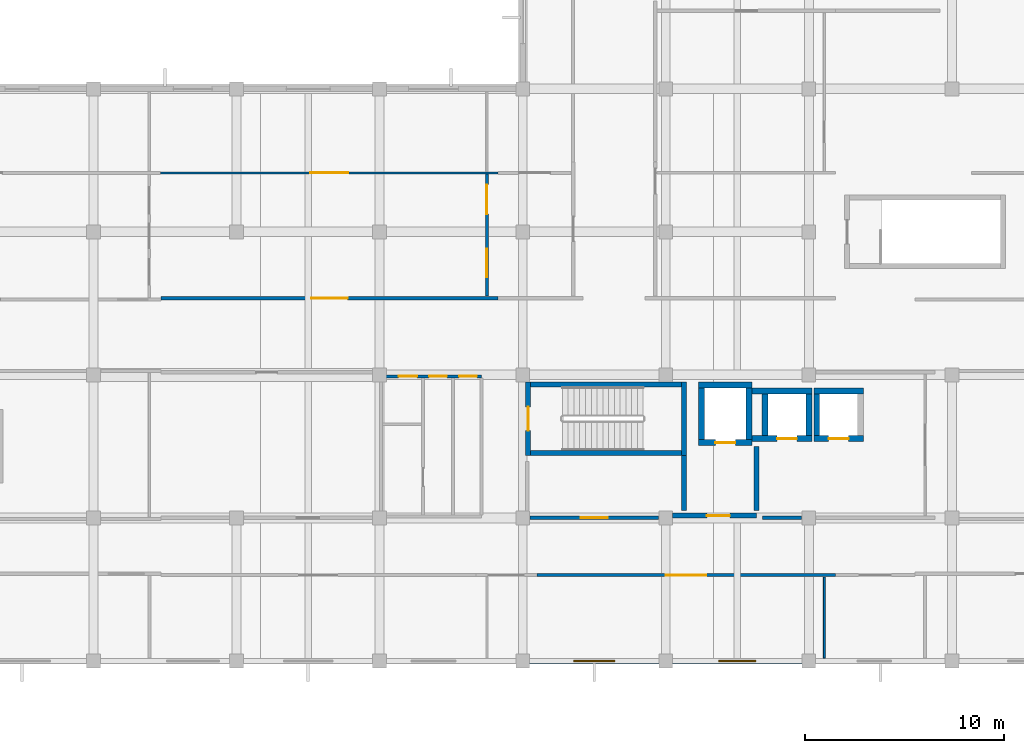
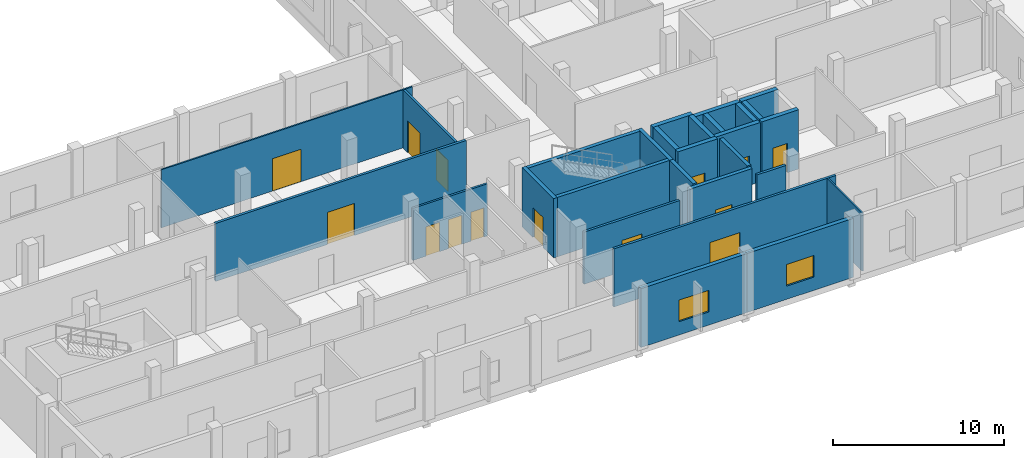
# One storey, part 12 of 24: 28 walls, 14 doors, 2 windows, 16 openings.
"""IFC4 building model written with IfcOpenShell, lengths in metres."""

from ifc_helpers import new_model, si_unit, direction, frame, frame_2d, origin, place, context, subcontext, project, spatial, rectangle, extrude, material, layer, layer_set, type_object, element, fill, save


model = new_model("IFC4")

# Units and contexts
model_context = context("Model", 3, precision=1e-05, world=origin(), true_north=direction((0.0, 1.0)))
body_context = subcontext(model_context, "Body", "Model", "MODEL_VIEW")
ifc_project = project(units=[si_unit("LENGTHUNIT", "METRE"), si_unit("AREAUNIT", "SQUARE_METRE"), si_unit("VOLUMEUNIT", "CUBIC_METRE"), si_unit("PLANEANGLEUNIT", "RADIAN"), si_unit("MASSUNIT", "GRAM", prefix="KILO")], contexts=[model_context])

# Site, building, storey
site_placement = place(None, origin())
site = spatial("IfcSite", under=ifc_project, at=site_placement, CompositionType="ELEMENT")
building_placement = place(site_placement, origin())
building = spatial("IfcBuilding", under=site, at=building_placement, Name="Seraya Terrace Polytechnic", CompositionType="ELEMENT")
storey_placement = place(building_placement, frame((0.0, 0.0, 18.89990234375)))
storey = spatial("IfcBuildingStorey", under=building, at=storey_placement, Name="L04", CompositionType="ELEMENT", Elevation=18.89990234375)

# Wall, opening, window
ifc_material_1 = material(Name="Precast concrete C40/50", Category="concrete")
ifc_layer_1 = layer(ifc_material_1, 0.280029296875, Name="EW-02")
ifc_layer_set_1 = layer_set([ifc_layer_1], Name="Precast concrete C40/50")
wall_type_1 = type_object("IfcWallType", Name="EW-02", PredefinedType="SOLIDWALL", material=ifc_layer_set_1)
wall_1_placement = place(storey_placement, frame((93.60009765625, 0.0, 0.0), z_axis=(0.0, 0.0, 1.0), x_axis=(-1.0, 0.0, 0.0)))
wall_1 = element("IfcWall", 1, at=wall_1_placement, inside=storey, type_object=wall_type_1, Name="Exterior structural wall EW-02 L04", PredefinedType="SOLIDWALL", context=body_context, shape_type="SweptSolid", body=[
    extrude(rectangle(XDim=7.2001953125, YDim=0.280029296875, at=frame_2d((3.60009765625, 0.0))), origin(), (0.0, 0.0, 1.0), 4.22021484375),
])
opening_1_placement = place(wall_1_placement, frame((2.675048828125, 0.0, 0.949951171875)))
opening_1 = element("IfcOpeningElement", 2, at=opening_1_placement, cuts=wall_1, Name="Opening WN-18", PredefinedType="OPENING", context=body_context, shape_type="SweptSolid", body=[
    extrude(rectangle(XDim=1.85009765625, YDim=1.550048828125, at=frame_2d((0.925048828125, 0.77490234375))), frame((0.0, 0.15185546875, 0.0), z_axis=(0.0, -1.0, 0.0), x_axis=(1.0, 0.0, 0.0)), (0.0, 0.0, 1.0), 0.303955078125),
])
ifc_material_2 = material(Name="Laminated solar-control Low-E double glazing", Category="glass")
window_type_1 = type_object("IfcWindowType", Name="WN-18", PartitioningType="SINGLE_PANEL", PredefinedType="WINDOW", material=ifc_material_2)
window_1_placement = place(opening_1_placement, origin())
window_1 = element("IfcWindow", 3, at=window_1_placement, inside=storey, type_object=window_type_1, Name="Exterior window WN-18 L04", OverallHeight=1.550048828125, OverallWidth=1.85009765625, PartitioningType="SINGLE_PANEL", PredefinedType="WINDOW", context=body_context, shape_type="SweptSolid", body=[
    extrude(rectangle(XDim=1.85009765625, YDim=1.550048828125, at=frame_2d((0.925048828125, 0.77490234375))), frame((0.0, 0.030029296875, 0.0), z_axis=(0.0, -1.0, 0.0), x_axis=(1.0, 0.0, 0.0)), (0.0, 0.0, 1.0), 0.06005859375),
])
fill(opening_1, window_1)

wall_2_placement = place(storey_placement, frame((86.39990234375, 0.0, 0.0), z_axis=(0.0, 0.0, 1.0), x_axis=(-1.0, 0.0, 0.0)))
wall_2 = element("IfcWall", 4, at=wall_2_placement, inside=storey, type_object=wall_type_1, Name="Exterior structural wall EW-02 L04", PredefinedType="SOLIDWALL", context=body_context, shape_type="SweptSolid", body=[
    extrude(rectangle(XDim=7.199951171875, YDim=0.280029296875, at=frame_2d((3.60009765625, 0.0))), origin(), (0.0, 0.0, 1.0), 4.22021484375),
])
opening_2_placement = place(wall_2_placement, frame((2.574951171875, 0.0, 0.949951171875)))
opening_2 = element("IfcOpeningElement", 5, at=opening_2_placement, cuts=wall_2, Name="Opening WN-19", PredefinedType="OPENING", context=body_context, shape_type="SweptSolid", body=[
    extrude(rectangle(XDim=2.050048828125, YDim=1.550048828125, at=frame_2d((1.02490234375, 0.77490234375))), frame((0.0, 0.15185546875, 0.0), z_axis=(0.0, -1.0, 0.0), x_axis=(1.0, 0.0, 0.0)), (0.0, 0.0, 1.0), 0.303955078125),
])
window_type_2 = type_object("IfcWindowType", Name="WN-19", PartitioningType="SINGLE_PANEL", PredefinedType="WINDOW", material=ifc_material_2)
window_2_placement = place(opening_2_placement, origin())
window_2 = element("IfcWindow", 6, at=window_2_placement, inside=storey, type_object=window_type_2, Name="Exterior window WN-19 L04", OverallHeight=1.550048828125, OverallWidth=2.050048828125, PartitioningType="SINGLE_PANEL", PredefinedType="WINDOW", context=body_context, shape_type="SweptSolid", body=[
    extrude(rectangle(XDim=2.050048828125, YDim=1.550048828125, at=frame_2d((1.02490234375, 0.77490234375))), frame((0.0, 0.030029296875, 0.0), z_axis=(0.0, -1.0, 0.0), x_axis=(1.0, 0.0, 0.0)), (0.0, 0.0, 1.0), 0.06005859375),
])
fill(opening_2, window_2)

# Wall, opening, door
ifc_material_3 = material(Name="Autoclaved aerated concrete blockwork", Category="masonry")
ifc_layer_2 = layer(ifc_material_3, 0.169921875, Name="PT-02")
ifc_layer_set_2 = layer_set([ifc_layer_2], Name="Autoclaved aerated concrete blockwork")
wall_type_2 = type_object("IfcWallType", Name="PT-02", PredefinedType="PARTITIONING", material=ifc_layer_set_2)
wall_3_placement = place(storey_placement, frame((60.9814453125, 18.27001953125, 0.0), z_axis=(0.0, 0.0, 1.0), x_axis=(1.0, 0.0, 0.0)))
wall_3 = element("IfcWall", 7, at=wall_3_placement, inside=storey, type_object=wall_type_2, Name="Internal partition PT-02 L04", PredefinedType="PARTITIONING", context=body_context, shape_type="SweptSolid", body=[
    extrude(rectangle(XDim=16.978515625, YDim=0.169921875, at=frame_2d((8.4892578125, 0.0))), origin(), (0.0, 0.0, 1.0), 4.16015625),
])
opening_3_placement = place(wall_3_placement, frame((7.569091796875, 0.0, 0.0)))
opening_3 = element("IfcOpeningElement", 8, at=opening_3_placement, cuts=wall_3, Name="Opening ID-15", PredefinedType="OPENING", context=body_context, shape_type="SweptSolid", body=[
    extrude(rectangle(XDim=1.840087890625, YDim=2.300048828125, at=frame_2d((0.919921875, 1.14990234375))), frame((0.0, 0.096923828125, 0.0), z_axis=(0.0, -1.0, 0.0), x_axis=(1.0, 0.0, 0.0)), (0.0, 0.0, 1.0), 0.19384765625),
])
ifc_material_4 = material(Name="Malaysian dark red meranti hardwood timber D40", Category="wood")
door_type_1 = type_object("IfcDoorType", Name="ID-15", OperationType="DOUBLE_DOOR_SINGLE_SWING", PredefinedType="DOOR", material=ifc_material_4)
door_1_placement = place(opening_3_placement, origin())
door_1 = element("IfcDoor", 9, at=door_1_placement, inside=storey, type_object=door_type_1, Name="Door ID-15 DR-INT-L04-0220 in WL-INT-L04-0633", OperationType="DOUBLE_DOOR_SINGLE_SWING", OverallHeight=2.300048828125, OverallWidth=1.840087890625, PredefinedType="DOOR", context=body_context, shape_type="SweptSolid", body=[
    extrude(rectangle(XDim=1.840087890625, YDim=2.300048828125, at=frame_2d((0.919921875, 1.14990234375))), frame((0.0, 0.02490234375, 0.0), z_axis=(0.0, -1.0, 0.0), x_axis=(1.0, 0.0, 0.0)), (0.0, 0.0, 1.0), 0.050048828125),
])
fill(opening_3, door_1)

wall_4_placement = place(storey_placement, frame((79.56005859375, 7.219970703125, 0.0), z_axis=(0.0, 0.0, 1.0), x_axis=(1.0, 0.0, 0.0)))
wall_4 = element("IfcWall", 10, at=wall_4_placement, inside=storey, type_object=wall_type_2, Name="Internal partition PT-02 L04", PredefinedType="PARTITIONING", context=body_context, shape_type="SweptSolid", body=[
    extrude(rectangle(XDim=6.47998046875, YDim=0.169921875, at=frame_2d((3.239990234375, 0.0))), origin(), (0.0, 0.0, 1.0), 3.72998046875),
])
opening_4_placement = place(wall_4_placement, frame((2.570068359375, 0.0, 0.0)))
opening_4 = element("IfcOpeningElement", 11, at=opening_4_placement, cuts=wall_4, Name="Opening ID-09", PredefinedType="OPENING", context=body_context, shape_type="SweptSolid", body=[
    extrude(rectangle(XDim=1.340087890625, YDim=2.239990234375, at=frame_2d((0.669921875, 1.1201171875))), frame((0.0, 0.096923828125, 0.0), z_axis=(0.0, -1.0, 0.0), x_axis=(1.0, 0.0, 0.0)), (0.0, 0.0, 1.0), 0.19384765625),
])
door_type_2 = type_object("IfcDoorType", Name="ID-09", OperationType="NOTDEFINED", PredefinedType="DOOR", material=ifc_material_4)
door_2_placement = place(opening_4_placement, origin())
door_2 = element("IfcDoor", 12, at=door_2_placement, inside=storey, type_object=door_type_2, Name="Door ID-09 DR-INT-L04-0230 in WL-INT-L04-0644", OperationType="SINGLE_SWING_LEFT", OverallHeight=2.239990234375, OverallWidth=1.340087890625, PredefinedType="DOOR", context=body_context, shape_type="SweptSolid", body=[
    extrude(rectangle(XDim=1.340087890625, YDim=2.239990234375, at=frame_2d((0.669921875, 1.1201171875))), frame((0.0, 0.02490234375, 0.0), z_axis=(0.0, -1.0, 0.0), x_axis=(1.0, 0.0, 0.0)), (0.0, 0.0, 1.0), 0.050048828125),
])
fill(opening_4, door_2)

# Wall
wall_5_placement = place(storey_placement, frame((91.260986328125, 7.219970703125, 0.0), z_axis=(0.0, 0.0, 1.0), x_axis=(1.0, 0.0, 0.0)))
element("IfcWall", 13, at=wall_5_placement, inside=storey, type_object=wall_type_2, Name="Internal partition PT-02 L04", PredefinedType="PARTITIONING", context=body_context, shape_type="SweptSolid", body=[
    extrude(rectangle(XDim=1.97900390625, YDim=0.169921875, at=frame_2d((0.989501953125, 0.0))), origin(), (0.0, 0.0, 1.0), 3.72998046875),
])

# Wall, opening, door
wall_6_placement = place(storey_placement, frame((79.909912109375, 4.330078125, 0.0), z_axis=(0.0, 0.0, 1.0), x_axis=(1.0, 0.0, 0.0)))
wall_6 = element("IfcWall", 14, at=wall_6_placement, inside=storey, type_object=wall_type_2, Name="Internal partition PT-02 L04", PredefinedType="PARTITIONING", context=body_context, shape_type="SweptSolid", body=[
    extrude(rectangle(XDim=15.0400390625, YDim=0.169921875, at=frame_2d((7.52001953125, 0.0))), origin(), (0.0, 0.0, 1.0), 4.16015625),
])
opening_5_placement = place(wall_6_placement, frame((6.5, 0.0, 0.0)))
opening_5 = element("IfcOpeningElement", 15, at=opening_5_placement, cuts=wall_6, Name="Opening ID-17", PredefinedType="OPENING", context=body_context, shape_type="SweptSolid", body=[
    extrude(rectangle(XDim=2.0400390625, YDim=2.340087890625, at=frame_2d((1.02001953125, 1.169921875))), frame((0.0, 0.096923828125, 0.0), z_axis=(0.0, -1.0, 0.0), x_axis=(1.0, 0.0, 0.0)), (0.0, 0.0, 1.0), 0.19384765625),
])
door_type_3 = type_object("IfcDoorType", Name="ID-17", OperationType="DOUBLE_DOOR_SINGLE_SWING", PredefinedType="DOOR", material=ifc_material_4)
door_3_placement = place(opening_5_placement, origin())
door_3 = element("IfcDoor", 16, at=door_3_placement, inside=storey, type_object=door_type_3, Name="Door ID-17 DR-INT-L04-0222 in WL-INT-L04-0646", OperationType="DOUBLE_DOOR_SINGLE_SWING", OverallHeight=2.340087890625, OverallWidth=2.0400390625, PredefinedType="DOOR", context=body_context, shape_type="SweptSolid", body=[
    extrude(rectangle(XDim=2.0400390625, YDim=2.340087890625, at=frame_2d((1.02001953125, 1.169921875))), frame((0.0, 0.02490234375, 0.0), z_axis=(0.0, -1.0, 0.0), x_axis=(1.0, 0.0, 0.0)), (0.0, 0.0, 1.0), 0.050048828125),
])
fill(opening_5, door_3)

# Wall, openings, doors
ifc_layer_3 = layer(ifc_material_3, 0.14990234375, Name="PT-03")
ifc_layer_set_3 = layer_set([ifc_layer_3], Name="Autoclaved aerated concrete blockwork")
wall_type_3 = type_object("IfcWallType", Name="PT-03", PredefinedType="PARTITIONING", material=ifc_layer_set_3)
wall_7_placement = place(storey_placement, frame((77.39990234375, 18.3701171875, 0.0), z_axis=(0.0, 0.0, 1.0), x_axis=(0.0, 1.0, 0.0)))
wall_7 = element("IfcWall", 17, at=wall_7_placement, inside=storey, type_object=wall_type_3, Name="Internal partition PT-03 L04", PredefinedType="PARTITIONING", context=body_context, shape_type="SweptSolid", body=[
    extrude(rectangle(XDim=6.13818359375, YDim=0.14990234375, at=frame_2d((3.069091796875, 0.0))), origin(), (0.0, 0.0, 1.0), 4.16015625),
])
opening_6_placement = place(wall_7_placement, frame((0.958984375, 0.0, 0.0)))
opening_6 = element("IfcOpeningElement", 18, at=opening_6_placement, cuts=wall_7, Name="Opening ID-10", PredefinedType="OPENING", context=body_context, shape_type="SweptSolid", body=[
    extrude(rectangle(XDim=1.419921875, YDim=2.239990234375, at=frame_2d((0.7099609375, 1.1201171875))), frame((0.0, 0.0869140625, 0.0), z_axis=(0.0, -1.0, 0.0), x_axis=(1.0, 0.0, 0.0)), (0.0, 0.0, 1.0), 0.173828125),
])
opening_7_placement = place(wall_7_placement, frame((4.129150390625, 0.0, 0.0)))
opening_7 = element("IfcOpeningElement", 19, at=opening_7_placement, cuts=wall_7, Name="Opening ID-11", PredefinedType="OPENING", context=body_context, shape_type="SweptSolid", body=[
    extrude(rectangle(XDim=1.47998046875, YDim=2.260009765625, at=frame_2d((0.739990234375, 1.1298828125))), frame((0.0, 0.0869140625, 0.0), z_axis=(0.0, -1.0, 0.0), x_axis=(1.0, 0.0, 0.0)), (0.0, 0.0, 1.0), 0.173828125),
])
door_type_4 = type_object("IfcDoorType", Name="ID-10", OperationType="DOUBLE_DOOR_SINGLE_SWING", PredefinedType="DOOR", material=ifc_material_4)
door_4_placement = place(opening_6_placement, frame((1.419921875, 0.0, 0.0), z_axis=(0.0, 0.0, 1.0), x_axis=(-1.0, 0.0, 0.0)))
door_4 = element("IfcDoor", 20, at=door_4_placement, inside=storey, type_object=door_type_4, Name="Door ID-10 DR-INT-L04-0247 in WL-INT-L04-0688", OperationType="DOUBLE_DOOR_SINGLE_SWING", OverallHeight=2.239990234375, OverallWidth=1.419921875, PredefinedType="DOOR", context=body_context, shape_type="SweptSolid", body=[
    extrude(rectangle(XDim=1.419921875, YDim=2.239990234375, at=frame_2d((0.7099609375, 1.1201171875))), frame((0.0, 0.02490234375, 0.0), z_axis=(0.0, -1.0, 0.0), x_axis=(1.0, 0.0, 0.0)), (0.0, 0.0, 1.0), 0.050048828125),
])
fill(opening_6, door_4)
door_type_5 = type_object("IfcDoorType", Name="ID-11", OperationType="DOUBLE_DOOR_SINGLE_SWING", PredefinedType="DOOR", material=ifc_material_4)
door_5_placement = place(opening_7_placement, origin())
door_5 = element("IfcDoor", 21, at=door_5_placement, inside=storey, type_object=door_type_5, Name="Door ID-11 DR-INT-L04-0248 in WL-INT-L04-0688", OperationType="DOUBLE_DOOR_SINGLE_SWING", OverallHeight=2.260009765625, OverallWidth=1.47998046875, PredefinedType="DOOR", context=body_context, shape_type="SweptSolid", body=[
    extrude(rectangle(XDim=1.47998046875, YDim=2.260009765625, at=frame_2d((0.739990234375, 1.1298828125))), frame((0.0, 0.02490234375, 0.0), z_axis=(0.0, -1.0, 0.0), x_axis=(1.0, 0.0, 0.0)), (0.0, 0.0, 1.0), 0.050048828125),
])
fill(opening_7, door_5)

ifc_layer_4 = layer(ifc_material_3, 0.139892578125, Name="PT-04")
ifc_layer_set_4 = layer_set([ifc_layer_4], Name="Autoclaved aerated concrete blockwork")
wall_type_4 = type_object("IfcWallType", Name="PT-04", PredefinedType="PARTITIONING", material=ifc_layer_set_4)
wall_8_placement = place(storey_placement, frame((72.070068359375, 14.330078125, 0.0), z_axis=(0.0, 0.0, 1.0), x_axis=(1.0, 0.0, 0.0)))
wall_8 = element("IfcWall", 22, at=wall_8_placement, inside=storey, type_object=wall_type_4, Name="Sanitary WC-A North wall L04", PredefinedType="PARTITIONING", context=body_context, shape_type="SweptSolid", body=[
    extrude(rectangle(XDim=5.059814453125, YDim=0.139892578125, at=frame_2d((2.52978515625, 0.0))), origin(), (0.0, 0.0, 1.0), 3.72998046875),
])
opening_8_placement = place(wall_8_placement, frame((0.8798828125, 0.0, 0.0)))
opening_8 = element("IfcOpeningElement", 23, at=opening_8_placement, cuts=wall_8, Name="Opening ID-01", PredefinedType="OPENING", context=body_context, shape_type="SweptSolid", body=[
    extrude(rectangle(XDim=0.93994140625, YDim=2.10009765625, at=frame_2d((0.469970703125, 1.050048828125))), frame((0.0, 0.08203125, 0.0), z_axis=(0.0, -1.0, 0.0), x_axis=(1.0, 0.0, 0.0)), (0.0, 0.0, 1.0), 0.163818359375),
])
opening_9_placement = place(wall_8_placement, frame((2.4150390625, 0.0, 0.0)))
opening_9 = element("IfcOpeningElement", 24, at=opening_9_placement, cuts=wall_8, Name="Opening ID-02", PredefinedType="OPENING", context=body_context, shape_type="SweptSolid", body=[
    extrude(rectangle(XDim=0.89990234375, YDim=2.080078125, at=frame_2d((0.449951171875, 1.0400390625))), frame((0.0, 0.08203125, 0.0), z_axis=(0.0, -1.0, 0.0), x_axis=(1.0, 0.0, 0.0)), (0.0, 0.0, 1.0), 0.163818359375),
])
opening_10_placement = place(wall_8_placement, frame((3.925048828125, 0.0, 0.0)))
opening_10 = element("IfcOpeningElement", 25, at=opening_10_placement, cuts=wall_8, Name="Opening ID-02", PredefinedType="OPENING", context=body_context, shape_type="SweptSolid", body=[
    extrude(rectangle(XDim=0.89990234375, YDim=2.080078125, at=frame_2d((0.449951171875, 1.0400390625))), frame((0.0, 0.08203125, 0.0), z_axis=(0.0, -1.0, 0.0), x_axis=(1.0, 0.0, 0.0)), (0.0, 0.0, 1.0), 0.163818359375),
])
door_type_6 = type_object("IfcDoorType", Name="ID-01", OperationType="NOTDEFINED", PredefinedType="DOOR", material=ifc_material_4)
door_6_placement = place(opening_8_placement, origin())
door_6 = element("IfcDoor", 26, at=door_6_placement, inside=storey, type_object=door_type_6, Name="Door ID-01 DR-WC-WC-A-L04-OKU in WL-WC-WC-A-L04-N", OperationType="SINGLE_SWING_LEFT", OverallHeight=2.10009765625, OverallWidth=0.93994140625, PredefinedType="DOOR", context=body_context, shape_type="SweptSolid", body=[
    extrude(rectangle(XDim=0.93994140625, YDim=2.10009765625, at=frame_2d((0.469970703125, 1.050048828125))), frame((0.0, 0.02490234375, 0.0), z_axis=(0.0, -1.0, 0.0), x_axis=(1.0, 0.0, 0.0)), (0.0, 0.0, 1.0), 0.050048828125),
])
fill(opening_8, door_6)
door_type_7 = type_object("IfcDoorType", Name="ID-02", OperationType="NOTDEFINED", PredefinedType="DOOR", material=ifc_material_4)
door_7_placement = place(opening_9_placement, frame((0.89990234375, 0.0, 0.0), z_axis=(0.0, 0.0, 1.0), x_axis=(-1.0, 0.0, 0.0)))
door_7 = element("IfcDoor", 27, at=door_7_placement, inside=storey, type_object=door_type_7, Name="Door ID-02 DR-WC-WC-A-L04-M in WL-WC-WC-A-L04-N", OperationType="SINGLE_SWING_RIGHT", OverallHeight=2.080078125, OverallWidth=0.89990234375, PredefinedType="DOOR", context=body_context, shape_type="SweptSolid", body=[
    extrude(rectangle(XDim=0.89990234375, YDim=2.080078125, at=frame_2d((0.449951171875, 1.0400390625))), frame((0.0, 0.02490234375, 0.0), z_axis=(0.0, -1.0, 0.0), x_axis=(1.0, 0.0, 0.0)), (0.0, 0.0, 1.0), 0.050048828125),
])
fill(opening_9, door_7)
door_8_placement = place(opening_10_placement, frame((0.89990234375, 0.0, 0.0), z_axis=(0.0, 0.0, 1.0), x_axis=(-1.0, 0.0, 0.0)))
door_8 = element("IfcDoor", 28, at=door_8_placement, inside=storey, type_object=door_type_7, Name="Door ID-02 DR-WC-WC-A-L04-F in WL-WC-WC-A-L04-N", OperationType="SINGLE_SWING_LEFT", OverallHeight=2.080078125, OverallWidth=0.89990234375, PredefinedType="DOOR", context=body_context, shape_type="SweptSolid", body=[
    extrude(rectangle(XDim=0.89990234375, YDim=2.080078125, at=frame_2d((0.449951171875, 1.0400390625))), frame((0.0, 0.02490234375, 0.0), z_axis=(0.0, -1.0, 0.0), x_axis=(1.0, 0.0, 0.0)), (0.0, 0.0, 1.0), 0.050048828125),
])
fill(opening_10, door_8)

# Wall, opening, door
ifc_layer_5 = layer(ifc_material_3, 0.10009765625, Name="PT-06")
ifc_layer_set_5 = layer_set([ifc_layer_5], Name="Autoclaved aerated concrete blockwork")
wall_type_5 = type_object("IfcWallType", Name="PT-06", PredefinedType="PARTITIONING", material=ifc_layer_set_5)
wall_9_placement = place(storey_placement, frame((60.969970703125, 24.5732421875, 0.0), z_axis=(0.0, 0.0, 1.0), x_axis=(1.0, 0.0, 0.0)))
wall_9 = element("IfcWall", 29, at=wall_9_placement, inside=storey, type_object=wall_type_5, Name="Internal partition PT-06 L04", PredefinedType="PARTITIONING", context=body_context, shape_type="SweptSolid", body=[
    extrude(rectangle(XDim=16.989990234375, YDim=0.10009765625, at=frame_2d((8.4951171875, 0.0))), origin(), (0.0, 0.0, 1.0), 4.16015625),
])
opening_11_placement = place(wall_9_placement, frame((7.534912109375, 0.0, 0.0)))
opening_11 = element("IfcOpeningElement", 30, at=opening_11_placement, cuts=wall_9, Name="Opening ID-16", PredefinedType="OPENING", context=body_context, shape_type="SweptSolid", body=[
    extrude(rectangle(XDim=1.919921875, YDim=2.320068359375, at=frame_2d((0.9599609375, 1.16015625))), frame((0.0, 0.06201171875, 0.0), z_axis=(0.0, -1.0, 0.0), x_axis=(1.0, 0.0, 0.0)), (0.0, 0.0, 1.0), 0.1240234375),
])
door_type_8 = type_object("IfcDoorType", Name="ID-16", OperationType="DOUBLE_DOOR_SINGLE_SWING", PredefinedType="DOOR", material=ifc_material_4)
door_9_placement = place(opening_11_placement, frame((1.919921875, 0.0, 0.0), z_axis=(0.0, 0.0, 1.0), x_axis=(-1.0, 0.0, 0.0)))
door_9 = element("IfcDoor", 31, at=door_9_placement, inside=storey, type_object=door_type_8, Name="Door ID-16 DR-INT-L04-0237 in WL-INT-L04-0687", OperationType="DOUBLE_DOOR_SINGLE_SWING", OverallHeight=2.320068359375, OverallWidth=1.919921875, PredefinedType="DOOR", context=body_context, shape_type="SweptSolid", body=[
    extrude(rectangle(XDim=1.919921875, YDim=2.320068359375, at=frame_2d((0.9599609375, 1.16015625))), frame((0.0, 0.02490234375, 0.0), z_axis=(0.0, -1.0, 0.0), x_axis=(1.0, 0.0, 0.0)), (0.0, 0.0, 1.0), 0.050048828125),
])
fill(opening_11, door_9)

# Wall
wall_10_placement = place(storey_placement, frame((94.389892578125, 0.152099609375, 0.0), z_axis=(0.0, 0.0, 1.0), x_axis=(0.0, 1.0, 0.0)))
element("IfcWall", 32, at=wall_10_placement, inside=storey, type_object=wall_type_5, Name="Internal partition PT-06 L04", PredefinedType="PARTITIONING", context=body_context, shape_type="SweptSolid", body=[
    extrude(rectangle(XDim=4.077880859375, YDim=0.10009765625, at=frame_2d((2.0390625, 0.0))), origin(), (0.0, 0.0, 1.0), 4.16015625),
])

# Wall, opening, door
ifc_material_5 = material(Name="Concrete C40/50", Category="concrete")
ifc_layer_6 = layer(ifc_material_5, 0.300048828125, Name="SW-01")
ifc_layer_set_6 = layer_set([ifc_layer_6], Name="Concrete C40/50")
wall_type_6 = type_object("IfcWallType", Name="SW-01", PredefinedType="SHEAR", material=ifc_layer_set_6)
wall_11_placement = place(storey_placement, frame((88.050048828125, 11.0, 0.0), z_axis=(0.0, 0.0, 1.0), x_axis=(1.0, 0.0, 0.0)))
wall_11 = element("IfcWall", 33, at=wall_11_placement, inside=storey, type_object=wall_type_6, Name="Lift shaft FL-01 South wall L04", PredefinedType="SHEAR", context=body_context, shape_type="SweptSolid", body=[
    extrude(rectangle(XDim=2.699951171875, YDim=0.300048828125, at=frame_2d((1.35009765625, 0.0))), origin(), (0.0, 0.0, 1.0), 4.25),
])
opening_12_placement = place(wall_11_placement, frame((0.85009765625, 0.0, 0.0)))
opening_12 = element("IfcOpeningElement", 34, at=opening_12_placement, cuts=wall_11, Name="Opening LD-01", PredefinedType="OPENING", context=body_context, shape_type="SweptSolid", body=[
    extrude(rectangle(XDim=1.0, YDim=2.10009765625, at=frame_2d((0.5, 1.050048828125))), frame((0.0, 0.162109375, 0.0), z_axis=(0.0, -1.0, 0.0), x_axis=(1.0, 0.0, 0.0)), (0.0, 0.0, 1.0), 0.323974609375),
])
ifc_material_6 = material(Name="Steel S355J2", Category="steel")
door_type_9 = type_object("IfcDoorType", Name="LD-01", OperationType="SLIDING_TO_LEFT", PredefinedType="DOOR", material=ifc_material_6)
door_10_placement = place(opening_12_placement, frame((1.0, 0.0, 0.0), z_axis=(0.0, 0.0, 1.0), x_axis=(-1.0, 0.0, 0.0)))
door_10 = element("IfcDoor", 35, at=door_10_placement, inside=storey, type_object=door_type_9, Name="Door LD-01 LD-FL-01-L04 in WL-SHF-FL-01-L04-S", OperationType="SLIDING_TO_LEFT", OverallHeight=2.10009765625, OverallWidth=1.0, PredefinedType="DOOR", context=body_context, shape_type="SweptSolid", body=[
    extrude(rectangle(XDim=1.0, YDim=2.10009765625, at=frame_2d((0.5, 1.050048828125))), frame((0.0, 0.02490234375, 0.0), z_axis=(0.0, -1.0, 0.0), x_axis=(1.0, 0.0, 0.0)), (0.0, 0.0, 1.0), 0.050048828125),
])
fill(opening_12, door_10)

# Walls
wall_12_placement = place(storey_placement, frame((88.050048828125, 13.89990234375, 0.0), z_axis=(0.0, 0.0, 1.0), x_axis=(1.0, 0.0, 0.0)))
element("IfcWall", 36, at=wall_12_placement, inside=storey, type_object=wall_type_6, Name="Lift shaft FL-01 North wall L04", PredefinedType="SHEAR", context=body_context, shape_type="SweptSolid", body=[
    extrude(rectangle(XDim=2.699951171875, YDim=0.300048828125, at=frame_2d((1.35009765625, 0.0))), origin(), (0.0, 0.0, 1.0), 4.25),
])
for number, where, z_axis, x_axis, name in (
    (37, (88.199951171875, 11.14990234375, 0.0), (0.0, 0.0, 1.0), (0.0, 1.0, 0.0), "Lift shaft FL-01 West wall L04"),
    (38, (90.60009765625, 11.14990234375, 0.0), (0.0, 0.0, 1.0), (0.0, 1.0, 0.0), "Lift shaft FL-01 East wall L04"),
):
    element("IfcWall", number, at=place(storey_placement, frame(where, z_axis=z_axis, x_axis=x_axis)), inside=storey, type_object=wall_type_6, Name=name, PredefinedType="SHEAR", context=body_context, shape_type="SweptSolid", body=[
        extrude(rectangle(XDim=2.60009765625, YDim=0.300048828125, at=frame_2d((1.300048828125, 0.0))), origin(), (0.0, 0.0, 1.0), 4.25),
    ])

# Wall, opening, door
wall_13_placement = place(storey_placement, frame((90.75, 11.199951171875, 0.0), z_axis=(0.0, 0.0, 1.0), x_axis=(1.0, 0.0, 0.0)))
wall_13 = element("IfcWall", 39, at=wall_13_placement, inside=storey, type_object=wall_type_6, Name="Lift shaft PL-01 South wall L04", PredefinedType="SHEAR", context=body_context, shape_type="SweptSolid", body=[
    extrude(rectangle(XDim=3.0, YDim=0.300048828125, at=frame_2d((1.5, 0.0))), origin(), (0.0, 0.0, 1.0), 4.25),
])
opening_13_placement = place(wall_13_placement, frame((1.25, 0.0, 0.0)))
opening_13 = element("IfcOpeningElement", 40, at=opening_13_placement, cuts=wall_13, Name="Opening LD-01", PredefinedType="OPENING", context=body_context, shape_type="SweptSolid", body=[
    extrude(rectangle(XDim=1.0, YDim=2.10009765625, at=frame_2d((0.5, 1.050048828125))), frame((0.0, 0.162109375, 0.0), z_axis=(0.0, -1.0, 0.0), x_axis=(1.0, 0.0, 0.0)), (0.0, 0.0, 1.0), 0.323974609375),
])
door_11_placement = place(opening_13_placement, frame((1.0, 0.0, 0.0), z_axis=(0.0, 0.0, 1.0), x_axis=(-1.0, 0.0, 0.0)))
door_11 = element("IfcDoor", 41, at=door_11_placement, inside=storey, type_object=door_type_9, Name="Door LD-01 LD-PL-01-L04 in WL-SHF-PL-01-L04-S", OperationType="SLIDING_TO_RIGHT", OverallHeight=2.10009765625, OverallWidth=1.0, PredefinedType="DOOR", context=body_context, shape_type="SweptSolid", body=[
    extrude(rectangle(XDim=1.0, YDim=2.10009765625, at=frame_2d((0.5, 1.050048828125))), frame((0.0, 0.02490234375, 0.0), z_axis=(0.0, -1.0, 0.0), x_axis=(1.0, 0.0, 0.0)), (0.0, 0.0, 1.0), 0.050048828125),
])
fill(opening_13, door_11)

# Walls
wall_14_placement = place(storey_placement, frame((90.75, 13.60009765625, 0.0), z_axis=(0.0, 0.0, 1.0), x_axis=(1.0, 0.0, 0.0)))
element("IfcWall", 42, at=wall_14_placement, inside=storey, type_object=wall_type_6, Name="Lift shaft PL-01 North wall L04", PredefinedType="SHEAR", context=body_context, shape_type="SweptSolid", body=[
    extrude(rectangle(XDim=3.0, YDim=0.300048828125, at=frame_2d((1.5, 0.0))), origin(), (0.0, 0.0, 1.0), 4.25),
])
for number, where, z_axis, x_axis, name in (
    (43, (91.39990234375, 11.35009765625, 0.0), (0.0, 0.0, 1.0), (0.0, 1.0, 0.0), "Lift shaft PL-01 West wall L04"),
    (44, (93.60009765625, 11.35009765625, 0.0), (0.0, 0.0, 1.0), (0.0, 1.0, 0.0), "Lift shaft PL-01 East wall L04"),
):
    element("IfcWall", number, at=place(storey_placement, frame(where, z_axis=z_axis, x_axis=x_axis)), inside=storey, type_object=wall_type_6, Name=name, PredefinedType="SHEAR", context=body_context, shape_type="SweptSolid", body=[
        extrude(rectangle(XDim=2.099853515625, YDim=0.300048828125, at=frame_2d((1.0498046875, 0.0))), origin(), (0.0, 0.0, 1.0), 4.25),
    ])

# Wall, opening, door
wall_15_placement = place(storey_placement, frame((93.85009765625, 11.199951171875, 0.0), z_axis=(0.0, 0.0, 1.0), x_axis=(1.0, 0.0, 0.0)))
wall_15 = element("IfcWall", 45, at=wall_15_placement, inside=storey, type_object=wall_type_6, Name="Lift shaft PL-02 South wall L04", PredefinedType="SHEAR", context=body_context, shape_type="SweptSolid", body=[
    extrude(rectangle(XDim=2.5, YDim=0.300048828125, at=frame_2d((1.25, 0.0))), origin(), (0.0, 0.0, 1.0), 4.25),
])
opening_14_placement = place(wall_15_placement, frame((0.75, 0.0, 0.0)))
opening_14 = element("IfcOpeningElement", 46, at=opening_14_placement, cuts=wall_15, Name="Opening LD-01", PredefinedType="OPENING", context=body_context, shape_type="SweptSolid", body=[
    extrude(rectangle(XDim=1.0, YDim=2.10009765625, at=frame_2d((0.5, 1.050048828125))), frame((0.0, 0.162109375, 0.0), z_axis=(0.0, -1.0, 0.0), x_axis=(1.0, 0.0, 0.0)), (0.0, 0.0, 1.0), 0.323974609375),
])
door_12_placement = place(opening_14_placement, frame((1.0, 0.0, 0.0), z_axis=(0.0, 0.0, 1.0), x_axis=(-1.0, 0.0, 0.0)))
door_12 = element("IfcDoor", 47, at=door_12_placement, inside=storey, type_object=door_type_9, Name="Door LD-01 LD-PL-02-L04 in WL-SHF-PL-02-L04-S", OperationType="SLIDING_TO_LEFT", OverallHeight=2.10009765625, OverallWidth=1.0, PredefinedType="DOOR", context=body_context, shape_type="SweptSolid", body=[
    extrude(rectangle(XDim=1.0, YDim=2.10009765625, at=frame_2d((0.5, 1.050048828125))), frame((0.0, 0.02490234375, 0.0), z_axis=(0.0, -1.0, 0.0), x_axis=(1.0, 0.0, 0.0)), (0.0, 0.0, 1.0), 0.050048828125),
])
fill(opening_14, door_12)

# Walls
wall_16_placement = place(storey_placement, frame((93.85009765625, 13.60009765625, 0.0), z_axis=(0.0, 0.0, 1.0), x_axis=(1.0, 0.0, 0.0)))
element("IfcWall", 48, at=wall_16_placement, inside=storey, type_object=wall_type_6, Name="Lift shaft PL-02 North wall L04", PredefinedType="SHEAR", context=body_context, shape_type="SweptSolid", body=[
    extrude(rectangle(XDim=2.5, YDim=0.300048828125, at=frame_2d((1.25, 0.0))), origin(), (0.0, 0.0, 1.0), 4.25),
])
wall_17_placement = place(storey_placement, frame((94.0, 11.35009765625, 0.0), z_axis=(0.0, 0.0, 1.0), x_axis=(0.0, 1.0, 0.0)))
element("IfcWall", 49, at=wall_17_placement, inside=storey, type_object=wall_type_6, Name="Lift shaft PL-02 West wall L04", PredefinedType="SHEAR", context=body_context, shape_type="SweptSolid", body=[
    extrude(rectangle(XDim=2.099853515625, YDim=0.300048828125, at=frame_2d((1.0498046875, 0.0))), origin(), (0.0, 0.0, 1.0), 4.25),
])

# Wall, opening, door
ifc_layer_7 = layer(ifc_material_5, 0.25, Name="SW-02")
ifc_layer_set_7 = layer_set([ifc_layer_7], Name="Concrete C40/50")
wall_type_7 = type_object("IfcWallType", Name="SW-02", PredefinedType="SHEAR", material=ifc_layer_set_7)
wall_18_placement = place(storey_placement, frame((79.47509765625, 10.35009765625, 0.0), z_axis=(0.0, 0.0, 1.0), x_axis=(0.0, 1.0, 0.0)))
wall_18 = element("IfcWall", 50, at=wall_18_placement, inside=storey, type_object=wall_type_7, Name="Stairwell ST-01 West wall L04", PredefinedType="SHEAR", context=body_context, shape_type="SweptSolid", body=[
    extrude(rectangle(XDim=3.699951171875, YDim=0.25, at=frame_2d((1.85009765625, 0.0))), origin(), (0.0, 0.0, 1.0), 4.25),
])
opening_15_placement = place(wall_18_placement, frame((1.25, 0.0, 0.0)))
opening_15 = element("IfcOpeningElement", 51, at=opening_15_placement, cuts=wall_18, Name="Opening FD-01", PredefinedType="OPENING", context=body_context, shape_type="SweptSolid", body=[
    extrude(rectangle(XDim=1.199951171875, YDim=2.14990234375, at=frame_2d((0.60009765625, 1.074951171875))), frame((0.0, 0.136962890625, 0.0), z_axis=(0.0, -1.0, 0.0), x_axis=(1.0, 0.0, 0.0)), (0.0, 0.0, 1.0), 0.27392578125),
])
door_type_10 = type_object("IfcDoorType", Name="FD-01", OperationType="NOTDEFINED", PredefinedType="DOOR", material=ifc_material_6)
door_13_placement = place(opening_15_placement, frame((1.199951171875, 0.0, 0.0), z_axis=(0.0, 0.0, 1.0), x_axis=(-1.0, 0.0, 0.0)))
door_13 = element("IfcDoor", 52, at=door_13_placement, inside=storey, type_object=door_type_10, Name="Door FD-01 DR-STR-ST-01-L04 in WL-STR-ST-01-L04-W", OperationType="SINGLE_SWING_RIGHT", OverallHeight=2.14990234375, OverallWidth=1.199951171875, PredefinedType="DOOR", context=body_context, shape_type="SweptSolid", body=[
    extrude(rectangle(XDim=1.199951171875, YDim=2.14990234375, at=frame_2d((0.60009765625, 1.074951171875))), frame((0.0, 0.02490234375, 0.0), z_axis=(0.0, -1.0, 0.0), x_axis=(1.0, 0.0, 0.0)), (0.0, 0.0, 1.0), 0.050048828125),
])
fill(opening_15, door_13)

# Walls
wall_19_placement = place(storey_placement, frame((87.324951171875, 10.35009765625, 0.0), z_axis=(0.0, 0.0, 1.0), x_axis=(0.0, 1.0, 0.0)))
element("IfcWall", 53, at=wall_19_placement, inside=storey, type_object=wall_type_7, Name="Stairwell ST-01 East wall L04", PredefinedType="SHEAR", context=body_context, shape_type="SweptSolid", body=[
    extrude(rectangle(XDim=3.699951171875, YDim=0.25, at=frame_2d((1.85009765625, 0.0))), origin(), (0.0, 0.0, 1.0), 4.25),
])
for number, where, z_axis, x_axis, name in (
    (54, (79.60009765625, 10.47509765625, 0.0), (0.0, 0.0, 1.0), (1.0, 0.0, 0.0), "Stairwell ST-01 South wall L04"),
    (55, (79.60009765625, 13.925048828125, 0.0), (0.0, 0.0, 1.0), (1.0, 0.0, 0.0), "Stairwell ST-01 North wall L04"),
):
    element("IfcWall", number, at=place(storey_placement, frame(where, z_axis=z_axis, x_axis=x_axis)), inside=storey, type_object=wall_type_7, Name=name, PredefinedType="SHEAR", context=body_context, shape_type="SweptSolid", body=[
        extrude(rectangle(XDim=7.599853515625, YDim=0.25, at=frame_2d((3.7998046875, 0.0))), origin(), (0.0, 0.0, 1.0), 4.25),
    ])

# Wall, opening, door
wall_20_placement = place(storey_placement, frame((86.75, 7.324951171875, 0.0), z_axis=(0.0, 0.0, 1.0), x_axis=(1.0, 0.0, 0.0)))
wall_20 = element("IfcWall", 56, at=wall_20_placement, inside=storey, type_object=wall_type_7, Name="Firefighting lobby A South wall L04", PredefinedType="SHEAR", context=body_context, shape_type="SweptSolid", body=[
    extrude(rectangle(XDim=4.22509765625, YDim=0.25, at=frame_2d((2.112548828125, 0.0))), origin(), (0.0, 0.0, 1.0), 4.25),
])
opening_16_placement = place(wall_20_placement, frame((1.72509765625, 0.0, 0.0)))
opening_16 = element("IfcOpeningElement", 57, at=opening_16_placement, cuts=wall_20, Name="Opening FD-02", PredefinedType="OPENING", context=body_context, shape_type="SweptSolid", body=[
    extrude(rectangle(XDim=1.14990234375, YDim=2.14990234375, at=frame_2d((0.574951171875, 1.074951171875))), frame((0.0, 0.136962890625, 0.0), z_axis=(0.0, -1.0, 0.0), x_axis=(1.0, 0.0, 0.0)), (0.0, 0.0, 1.0), 0.27392578125),
])
door_type_11 = type_object("IfcDoorType", Name="FD-02", OperationType="NOTDEFINED", PredefinedType="DOOR", material=ifc_material_6)
door_14_placement = place(opening_16_placement, frame((1.14990234375, 0.0, 0.0), z_axis=(0.0, 0.0, 1.0), x_axis=(-1.0, 0.0, 0.0)))
door_14 = element("IfcDoor", 58, at=door_14_placement, inside=storey, type_object=door_type_11, Name="Door FD-02 DR-FFL-CORE-A-L04 in WL-FFL-CORE-A-L04-S", OperationType="SINGLE_SWING_RIGHT", OverallHeight=2.14990234375, OverallWidth=1.14990234375, PredefinedType="DOOR", context=body_context, shape_type="SweptSolid", body=[
    extrude(rectangle(XDim=1.14990234375, YDim=2.14990234375, at=frame_2d((0.574951171875, 1.074951171875))), frame((0.0, 0.02490234375, 0.0), z_axis=(0.0, -1.0, 0.0), x_axis=(1.0, 0.0, 0.0)), (0.0, 0.0, 1.0), 0.050048828125),
])
fill(opening_16, door_14)

# Walls
wall_21_placement = place(storey_placement, frame((87.324951171875, 7.574951171875, 0.0), z_axis=(0.0, 0.0, 1.0), x_axis=(0.0, 1.0, 0.0)))
element("IfcWall", 59, at=wall_21_placement, inside=storey, type_object=wall_type_7, Name="Firefighting lobby A West wall L04", PredefinedType="SHEAR", context=body_context, shape_type="SweptSolid", body=[
    extrude(rectangle(XDim=2.77001953125, YDim=0.25, at=frame_2d((1.385009765625, 0.0))), origin(), (0.0, 0.0, 1.0), 4.25),
])
wall_22_placement = place(storey_placement, frame((90.97509765625, 7.574951171875, 0.0), z_axis=(0.0, 0.0, 1.0), x_axis=(0.0, 1.0, 0.0)))
element("IfcWall", 60, at=wall_22_placement, inside=storey, type_object=wall_type_7, Name="Firefighting lobby A East wall L04", PredefinedType="SHEAR", context=body_context, shape_type="SweptSolid", body=[
    extrude(rectangle(XDim=3.22509765625, YDim=0.25, at=frame_2d((1.612548828125, 0.0))), origin(), (0.0, 0.0, 1.0), 4.25),
])

save(model, "model.ifc")
